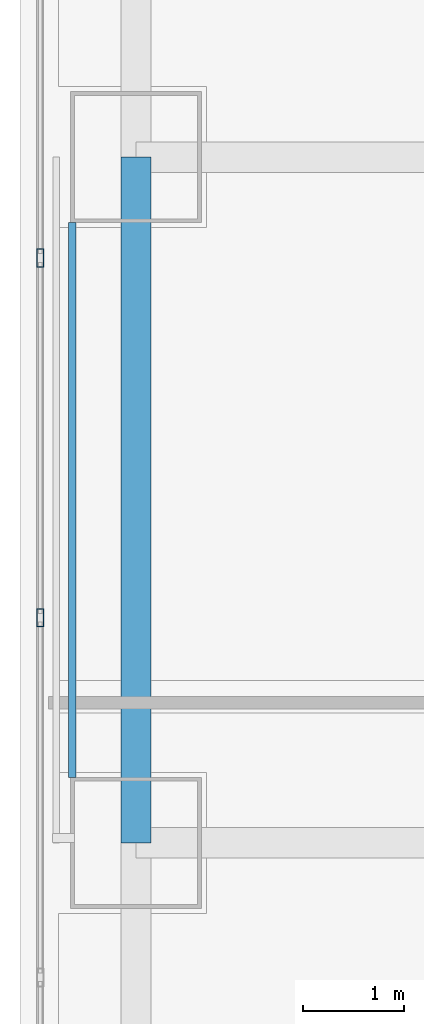
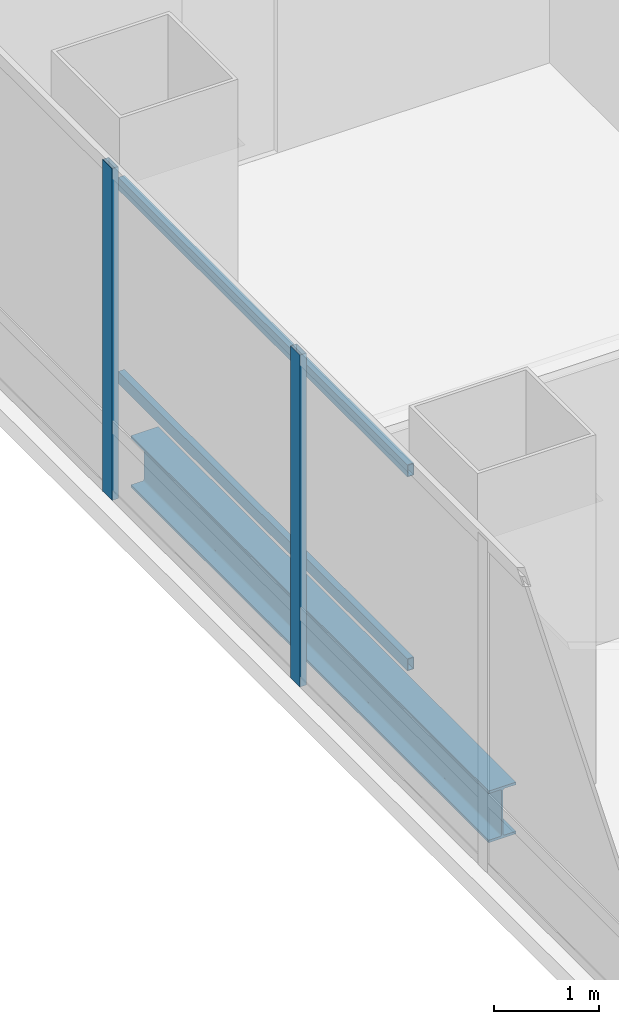
# One storey, part 10 of 40: 4 members, 1 beam, 1 element without a shape of its own.
"""IFC4 building model written with IfcOpenShell, lengths in metres."""

from ifc_helpers import new_model, si_unit, direction, frame, origin, origin_2d, place, context, subcontext, project, spatial, hollow_rectangle, i_section, extrude, material, material_profile, profile_set, type_object, element, aggregate, save


model = new_model("IFC4")

# Units and contexts
model_context = context("Model", 3, precision=1e-05, world=origin(), true_north=direction((0.0, 1.0)))
body_context = subcontext(model_context, "Body", "Model", "MODEL_VIEW")
ifc_project = project(units=[si_unit("LENGTHUNIT", "METRE"), si_unit("AREAUNIT", "SQUARE_METRE"), si_unit("VOLUMEUNIT", "CUBIC_METRE"), si_unit("PLANEANGLEUNIT", "RADIAN"), si_unit("MASSUNIT", "GRAM", prefix="KILO")], contexts=[model_context])

# Site, building, storey
site_placement = place(None, origin())
site = spatial("IfcSite", under=ifc_project, at=site_placement, CompositionType="ELEMENT")
building_placement = place(site_placement, origin())
building = spatial("IfcBuilding", under=site, at=building_placement, Name="Punatoya Terracotta Tower", CompositionType="ELEMENT")
storey_placement = place(building_placement, frame((0.0, 0.0, 271.64990234375)))
storey = spatial("IfcBuildingStorey", under=building, at=storey_placement, Name="L64", CompositionType="ELEMENT", Elevation=271.64990234375)

# Beam
ifc_material_1 = material(Name="Steel S355", Category="steel")
ifc_material_profile_1 = material_profile(ifc_material_1, i_section(OverallWidth=0.300048828125, OverallDepth=0.60009765625, WebThickness=0.015380859375, FlangeThickness=0.030029296875, FilletRadius=0.01806640625, at=origin_2d()))
ifc_profile_set_1 = profile_set([ifc_material_profile_1], Name="Steel S355")
beam_type = type_object("IfcBeamType", Name="BM-PRI-600", PredefinedType="BEAM", material=ifc_profile_set_1)
beam_placement = place(storey_placement, frame((-19.10009765625, -3.39990234375, -0.5), z_axis=(0.0, 1.0, 0.0), x_axis=(-1.0, 0.0, 0.0)))
element("IfcBeam", 1, at=beam_placement, inside=storey, type_object=beam_type, Name="BM-L64-RG-W2", PredefinedType="BEAM", context=body_context, shape_type="SweptSolid", body=[
    extrude(i_section(OverallWidth=0.300048828125, OverallDepth=0.60009765625, WebThickness=0.015380859375, FlangeThickness=0.030029296875, FilletRadius=0.01806640625, at=origin_2d()), origin(), (0.0, 0.0, 1.0), 6.7998046875),
])

# Curtain wall, members
ifc_material_2 = material(Name="Aluminium 6063-T6 + Double Low-E Glass", Category="aluminium")
curtain_wall_type = type_object("IfcCurtainWallType", Name="CW-M3", PredefinedType="NOTDEFINED", material=ifc_material_2)
curtain_wall_placement = place(storey_placement, origin())
curtain_wall = element("IfcCurtainWall", 2, at=curtain_wall_placement, inside=storey, type_object=curtain_wall_type, Name="L64 Curtain Wall CW-L64-W13-1", PredefinedType="NOTDEFINED")
ifc_material_3 = material(Name="Aluminium 6063-T6", Category="aluminium")
ifc_material_profile_2 = material_profile(ifc_material_3, hollow_rectangle(XDim=0.070068359375, YDim=0.179931640625, WallThickness=0.00390625, at=origin_2d()))
ifc_profile_set_2 = profile_set([ifc_material_profile_2], Name="Aluminium 6063-T6")
member_type_1 = type_object("IfcMemberType", Name="CW-MUL-M3", PredefinedType="MULLION", material=ifc_profile_set_2)
member_1_placement = place(storey_placement, frame((-20.050048828125, 2.39990234375, 0.0), z_axis=(0.0, 0.0, 1.0), x_axis=(1.0, 0.0, 0.0)))
member_1 = element("IfcMember", 3, at=member_1_placement, type_object=member_type_1, Name="CW-L64-W13-1 Mullion 05", PredefinedType="MULLION", context=body_context, shape_type="SweptSolid", body=[
    extrude(hollow_rectangle(XDim=0.070068359375, YDim=0.179931640625, WallThickness=0.00390625, at=origin_2d()), origin(), (0.0, 0.0, 1.0), 3.85009765625),
])
member_2_placement = place(storey_placement, frame((-20.050048828125, -1.16748046875, 0.0), z_axis=(0.0, 0.0, 1.0), x_axis=(1.0, 0.0, 0.0)))
member_2 = element("IfcMember", 4, at=member_2_placement, type_object=member_type_1, Name="CW-L64-W13-1 Mullion 06", PredefinedType="MULLION", context=body_context, shape_type="SweptSolid", body=[
    extrude(hollow_rectangle(XDim=0.070068359375, YDim=0.179931640625, WallThickness=0.00390625, at=origin_2d()), origin(), (0.0, 0.0, 1.0), 3.85009765625),
])
aggregate(curtain_wall, [member_1, member_2])

# Members
ifc_material_profile_3 = material_profile(ifc_material_1, hollow_rectangle(XDim=0.070068359375, YDim=0.139892578125, WallThickness=0.006103515625, at=origin_2d()))
ifc_profile_set_3 = profile_set([ifc_material_profile_3], Name="Steel S355")
member_type_2 = type_object("IfcMemberType", Name="MEM-BAG-RAIL", PredefinedType="USERDEFINED", material=ifc_profile_set_3)
for number, where, z_axis, x_axis, name in (
    (5, (-19.73193359375, -2.75048828125, 1.050048828125), (0.0, 1.0, 0.0), (-1.0, 0.0, 0.0), "L64 Terracotta Baguette Carrier Rail BAG-L64-W-R1"),
    (6, (-19.73193359375, -2.75048828125, 3.300048828125), (0.0, 1.0, 0.0), (-1.0, 0.0, 0.0), "L64 Terracotta Baguette Carrier Rail BAG-L64-W-R2"),
):
    element("IfcMember", number, at=place(storey_placement, frame(where, z_axis=z_axis, x_axis=x_axis)), inside=storey, type_object=member_type_2, Name=name, ObjectType="BAGUETTE", PredefinedType="USERDEFINED", context=body_context, shape_type="SweptSolid", body=[
        extrude(hollow_rectangle(XDim=0.070068359375, YDim=0.139892578125, WallThickness=0.006103515625, at=origin_2d()), origin(), (0.0, 0.0, 1.0), 5.5009765625),
    ])

save(model, "model.ifc")
